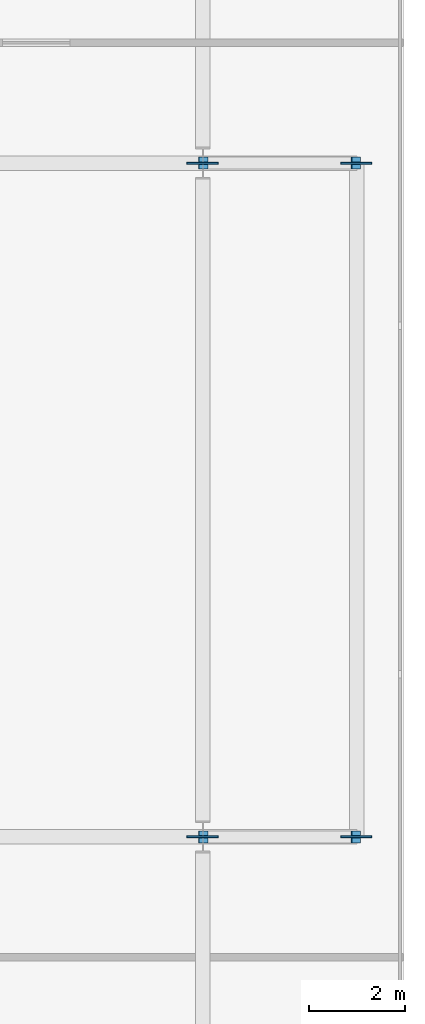
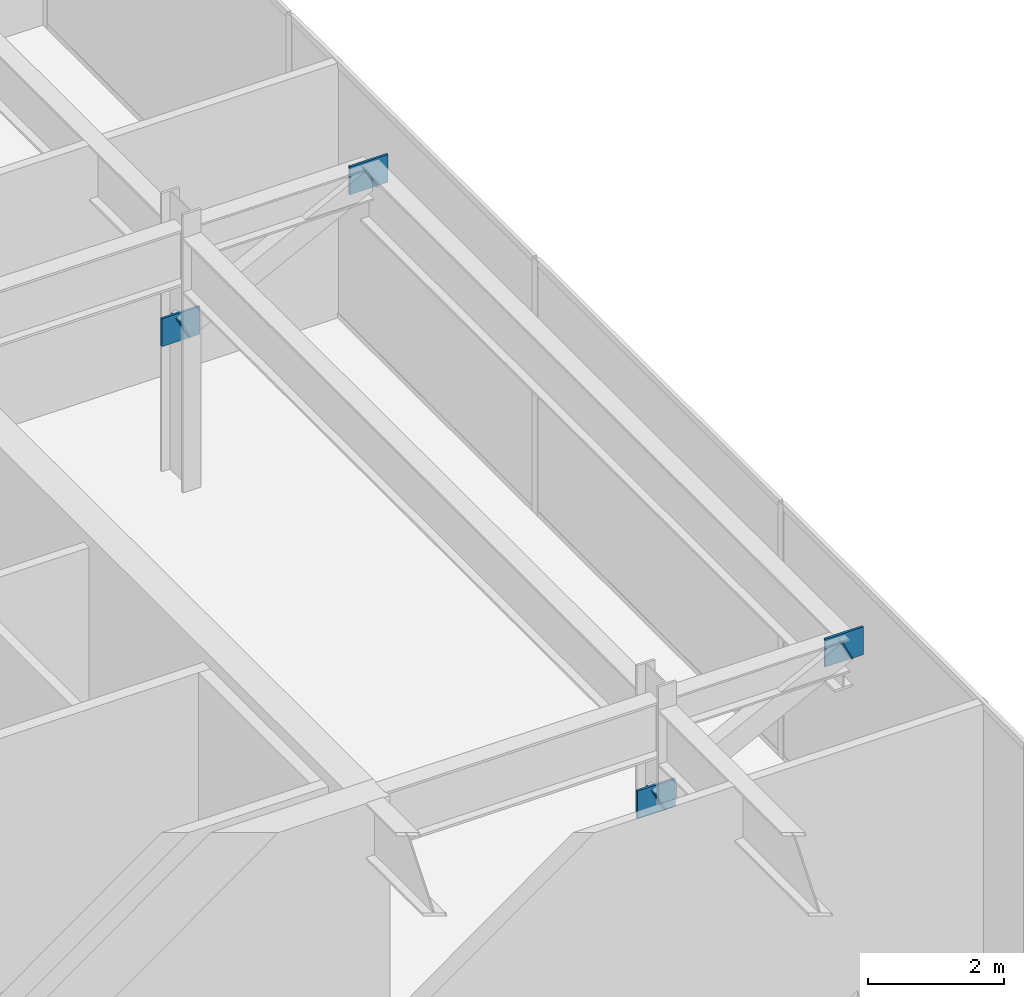
# One storey, part 17 of 21: 8 plates.
"""IFC4 building model written with IfcOpenShell, lengths in metres."""

import ifcopenshell
import ifcopenshell.guid

model = None  # the IFC model being written
_history = None  # IfcOwnerHistory: only IFC2X3 demands one
_inside = {}  # id of a spatial element -> (the spatial element, [elements in it])
_under = {}  # id of a project, library or spatial element -> (it, [spatial elements below it])
_declared = {}  # id of a project -> (the project, [libraries it declares])
_typed = {}  # id of a type object -> (the type object, [elements of that type])
_made_of = {}  # id of a material, layer set ... -> (it, [elements and type objects made of it])


def new_model(schema):
    """Start an empty IFC model of exactly this schema.

    Asked for "IFC4X3", IfcOpenShell would pick the latest addendum, in which some entities
    have other attributes; the version numbers below select the first issue.
    IFC2X3 requires an IfcOwnerHistory on every rooted entity: one is made here for all.
    """
    global model, _history
    if schema == "IFC4X3":
        model = ifcopenshell.file(schema_version=(4, 3, 0, 0))
    else:
        model = ifcopenshell.file(schema=schema)
    _inside.clear()
    _under.clear()
    _declared.clear()
    _typed.clear()
    _made_of.clear()
    _history = None
    if model.schema == "IFC2X3":
        org = make("IfcOrganization", Name="unknown")
        user = make(
            "IfcPersonAndOrganization",
            ThePerson=make("IfcPerson", FamilyName="unknown"),
            TheOrganization=org,
        )
        app = make(
            "IfcApplication",
            ApplicationDeveloper=org,
            Version="unknown",
            ApplicationFullName="unknown",
            ApplicationIdentifier="unknown",
        )
        _history = make(
            "IfcOwnerHistory",
            OwningUser=user,
            OwningApplication=app,
            ChangeAction="ADDED",
            CreationDate=0,
        )
    return model


def make(cls, **values):
    """One entity of the class cls with the attributes given. An attribute that is None is left unset."""
    return model.create_entity(
        cls, **{name: value for name, value in values.items() if value is not None}
    )


def rooted(cls, **values):
    """An entity with a GlobalId (a new one), such as an element, a storey or a relation."""
    return make(cls, GlobalId=ifcopenshell.guid.new(), OwnerHistory=_history, **values)


def si_unit(unit_type, name, prefix=None):
    """IfcSIUnit, for example si_unit("LENGTHUNIT", "METRE", prefix="MILLI")."""
    return make("IfcSIUnit", UnitType=unit_type, Prefix=prefix, Name=name)


def assignment(units):
    """IfcUnitAssignment: the units of a project."""
    return None if units is None else make("IfcUnitAssignment", Units=units)


def point(xyz):
    """IfcCartesianPoint."""
    return None if xyz is None else make("IfcCartesianPoint", Coordinates=xyz)


def direction(xyz):
    """IfcDirection."""
    return None if xyz is None else make("IfcDirection", DirectionRatios=xyz)


def frame(location, z_axis=None, x_axis=None):
    """IfcAxis2Placement3D, a coordinate frame: its origin and axes. An axis left out is left unset."""
    return make(
        "IfcAxis2Placement3D",
        Location=point(location),
        Axis=direction(z_axis),
        RefDirection=direction(x_axis),
    )


def frame_2d(location, x_axis=None):
    """IfcAxis2Placement2D, a coordinate frame in the plane: its origin and x axis."""
    return make(
        "IfcAxis2Placement2D", Location=point(location), RefDirection=direction(x_axis)
    )


def origin():
    """The frame at (0, 0, 0) with its axes left unset."""
    return frame((0.0, 0.0, 0.0))


def origin_2d():
    """The frame at (0, 0) in the plane with its x axis left unset."""
    return frame_2d((0.0, 0.0))


def place(relative_to, where):
    """IfcLocalPlacement: puts the frame where relative to a parent placement (None: the world)."""
    return make(
        "IfcLocalPlacement", PlacementRelTo=relative_to, RelativePlacement=where
    )


def context(
    kind, dimensions, precision=None, world=None, true_north=None, identifier=None
):
    """IfcGeometricRepresentationContext, for example the 3D "Model" context."""
    return make(
        "IfcGeometricRepresentationContext",
        ContextIdentifier=identifier,
        ContextType=kind,
        CoordinateSpaceDimension=dimensions,
        Precision=precision,
        WorldCoordinateSystem=world,
        TrueNorth=true_north,
    )


def subcontext(parent, identifier, kind, view, scale=None):
    """IfcGeometricRepresentationSubContext, for example "Body" below "Model"."""
    return make(
        "IfcGeometricRepresentationSubContext",
        ContextIdentifier=identifier,
        ContextType=kind,
        ParentContext=parent,
        TargetScale=scale,
        TargetView=view,
    )


def project(units=None, contexts=None):
    """IfcProject with its units and contexts."""
    return rooted(
        "IfcProject",
        Name="project",
        RepresentationContexts=contexts,
        UnitsInContext=assignment(units),
    )


def spatial(cls, under=None, at=None, **own):
    """A site, building, storey or space (cls), placed at a placement, below another one or the project."""
    s = rooted(cls, ObjectPlacement=at, **own)
    if under is not None:
        _under.setdefault(under.id(), (under, []))[1].append(s)
    return s


def profile(cls, at=None, kind="AREA", **sizes):
    """A parametric profile (cls). Its sizes go by their IFC names, for example OverallWidth=200.0."""
    return make(cls, ProfileType=kind, Position=at, **sizes)


def rectangle(**sizes):
    """IfcRectangleProfileDef."""
    return profile("IfcRectangleProfileDef", **sizes)


def extrude(swept, where, along, depth):
    """IfcExtrudedAreaSolid: the profile swept, set in the frame where, extruded along a direction by depth."""
    return make(
        "IfcExtrudedAreaSolid",
        SweptArea=swept,
        Position=where,
        ExtrudedDirection=direction(along),
        Depth=depth,
    )


def shape(context_of_items, identifier, shape_type, items):
    """IfcShapeRepresentation: the items that make up one representation, for example the "Body"."""
    return make(
        "IfcShapeRepresentation",
        ContextOfItems=context_of_items,
        RepresentationIdentifier=identifier,
        RepresentationType=shape_type,
        Items=items,
    )


def material(Name=None, Category=None):
    """IfcMaterial."""
    return make("IfcMaterial", Name=Name, Category=Category)


def layer(
    of_material, thickness, ventilated=None, Name=None, Category=None, Priority=None
):
    """IfcMaterialLayer: one layer of a wall or slab, of a material (None: an air gap)."""
    return make(
        "IfcMaterialLayer",
        Material=of_material,
        LayerThickness=thickness,
        IsVentilated=ventilated,
        Name=Name,
        Category=Category,
        Priority=Priority,
    )


def layer_set(layers, Name=None):
    """IfcMaterialLayerSet."""
    return make("IfcMaterialLayerSet", MaterialLayers=layers, LayerSetName=Name)


def made_of(thing, what):
    """Note that an element or type object is made of a material, layer set ...; save() writes the relation."""
    if what is not None:
        _made_of.setdefault(what.id(), (what, []))[1].append(thing)
    return thing


def type_object(cls, material=None, **own):
    """A type object (cls), such as IfcWallType, which elements share."""
    return made_of(rooted(cls, **own), material)


def element(
    cls,
    number,
    at=None,
    inside=None,
    cuts=None,
    type_object=None,
    material=None,
    context=None,
    identifier="Body",
    shape_type=None,
    held_by="IfcProductDefinitionShape",
    body=None,
    shapes=None,
    **own,
):
    """One element of the class cls, such as IfcWall. Its Tag is "e" and its number.

    at: its placement. inside: the storey or other place that contains it. cuts: it is an
    opening in that element (IfcRelVoidsElement). A single representation is given by context,
    identifier, shape_type and body (its items); several are given by shapes. held_by: the class
    of the entity that holds the representations. save() writes the other relations.
    """
    e = rooted(cls, Tag="e%d" % number, ObjectPlacement=at, **own)
    if body is not None:
        shapes = [shape(context, identifier, shape_type, body)]
    if shapes is not None:
        e.Representation = make(held_by, Representations=shapes)
    if inside is not None:
        _inside.setdefault(inside.id(), (inside, []))[1].append(e)
    if cuts is not None:
        rooted(
            "IfcRelVoidsElement", RelatingBuildingElement=cuts, RelatedOpeningElement=e
        )
    if type_object is not None:
        _typed.setdefault(type_object.id(), (type_object, []))[1].append(e)
    return made_of(e, material)


def aggregate(whole, parts):
    """IfcRelAggregates: a whole, such as a stair, and the parts it consists of."""
    return rooted("IfcRelAggregates", RelatingObject=whole, RelatedObjects=parts)


def save(model, path):
    """Write the relations noted so far, then the file.

    IfcRelAggregates (storeys below a building ...), IfcRelContainedInSpatialStructure (elements
    in a storey), IfcRelDefinesByType, IfcRelAssociatesMaterial and IfcRelDeclares: one each for
    every whole, place, type object, material and project.
    """
    for whole, parts in _under.values():
        aggregate(whole, parts)
    for where, things in _inside.values():
        rooted(
            "IfcRelContainedInSpatialStructure",
            RelatedElements=things,
            RelatingStructure=where,
        )
    for kind, things in _typed.values():
        rooted("IfcRelDefinesByType", RelatedObjects=things, RelatingType=kind)
    for what, things in _made_of.values():
        rooted("IfcRelAssociatesMaterial", RelatedObjects=things, RelatingMaterial=what)
    for by, libraries in _declared.values():
        rooted("IfcRelDeclares", RelatingContext=by, RelatedDefinitions=libraries)
    model.write(path)


model = new_model("IFC4")

# Units and contexts
model_context = context("Model", 3, precision=1e-05, world=origin(), true_north=direction((0.0, 1.0)))
body_context = subcontext(model_context, "Body", "Model", "MODEL_VIEW")
ifc_project = project(units=[si_unit("LENGTHUNIT", "METRE"), si_unit("AREAUNIT", "SQUARE_METRE"), si_unit("VOLUMEUNIT", "CUBIC_METRE"), si_unit("PLANEANGLEUNIT", "RADIAN"), si_unit("MASSUNIT", "GRAM", prefix="KILO")], contexts=[model_context])

# Site, building, storey
site_placement = place(None, origin())
site = spatial("IfcSite", under=ifc_project, at=site_placement, CompositionType="ELEMENT")
building_placement = place(site_placement, origin())
building = spatial("IfcBuilding", under=site, at=building_placement, Name="Putna Gate Headquarters", CompositionType="ELEMENT")
storey_placement = place(building_placement, frame((0.0, 0.0, 315.39990234375)))
storey = spatial("IfcBuildingStorey", under=building, at=storey_placement, Name="L79", CompositionType="ELEMENT", Elevation=315.39990234375)

# Plates
ifc_material_1 = material(Name="Steel S355J2", Category="steel")
ifc_layer_1 = layer(ifc_material_1, 0.02001953125)
ifc_layer_set_1 = layer_set([ifc_layer_1], Name="Steel S355J2")
plate_type_1 = type_object("IfcPlateType", Name="PLT-CAP-EC-R400", PredefinedType="SHEET", material=ifc_layer_set_1)
plate_1_placement = place(storey_placement, frame((69.9150390625, 19.0, 2.75), z_axis=(0.891970083601, 0.0, 0.452094425935), x_axis=(0.0, 1.0, 0.0)))
element("IfcPlate", 1, at=plate_1_placement, inside=storey, type_object=plate_type_1, Name="L79 East Sail Cantilever Raker Y19 End Cap Start", PredefinedType="SHEET", context=body_context, shape_type="SweptSolid", body=[
    extrude(rectangle(XDim=0.25, YDim=0.39990234375, at=origin_2d()), origin(), (0.0, 0.0, 1.0), 0.02001953125),
])
plate_2_placement = place(storey_placement, frame((73.092041015625, 19.0, 4.35107421875), z_axis=(0.894427191, 0.0, 0.4472135955), x_axis=(0.0, 1.0, 0.0)))
element("IfcPlate", 2, at=plate_2_placement, inside=storey, type_object=plate_type_1, Name="L79 East Sail Cantilever Raker Y19 End Cap End", PredefinedType="SHEET", context=body_context, shape_type="SweptSolid", body=[
    extrude(rectangle(XDim=0.25, YDim=0.39990234375, at=origin_2d()), origin(), (0.0, 0.0, 1.0), 0.020263671875),
])
plate_3_placement = place(storey_placement, frame((69.9150390625, 33.0, 2.75), z_axis=(0.891970083601, 0.0, 0.452094425935), x_axis=(0.0, 1.0, 0.0)))
element("IfcPlate", 3, at=plate_3_placement, inside=storey, type_object=plate_type_1, Name="L79 East Sail Cantilever Raker Y33 End Cap Start", PredefinedType="SHEET", context=body_context, shape_type="SweptSolid", body=[
    extrude(rectangle(XDim=0.25, YDim=0.39990234375, at=origin_2d()), origin(), (0.0, 0.0, 1.0), 0.02001953125),
])
plate_4_placement = place(storey_placement, frame((73.092041015625, 33.0, 4.35107421875), z_axis=(0.894427191, 0.0, 0.4472135955), x_axis=(0.0, 1.0, 0.0)))
element("IfcPlate", 4, at=plate_4_placement, inside=storey, type_object=plate_type_1, Name="L79 East Sail Cantilever Raker Y33 End Cap End", PredefinedType="SHEET", context=body_context, shape_type="SweptSolid", body=[
    extrude(rectangle(XDim=0.25, YDim=0.39990234375, at=origin_2d()), origin(), (0.0, 0.0, 1.0), 0.020263671875),
])
ifc_material_2 = material(Name="Steel S460M", Category="steel")
ifc_layer_2 = layer(ifc_material_2, 0.0380859375)
ifc_layer_set_2 = layer_set([ifc_layer_2], Name="Steel S460M")
plate_type_2 = type_object("IfcPlateType", Name="PLT-NODE-TN1", PredefinedType="SHEET", material=ifc_layer_set_2)
for number, where, z_axis, x_axis, name in (
    (5, (69.9150390625, 19.0, 2.5), (0.0, 0.0, 1.0), (1.0, 0.0, 0.0), "L79 Sail Raker Node Plate TN1 Y19-1"),
    (6, (73.110107421875, 19.0, 4.110107421875), (0.0, 0.0, 1.0), (1.0, 0.0, 0.0), "L79 Sail Raker Node Plate TN1 Y19-2"),
    (7, (69.9150390625, 33.0, 2.5), (0.0, 0.0, 1.0), (1.0, 0.0, 0.0), "L79 Sail Raker Node Plate TN1 Y33-1"),
    (8, (73.110107421875, 33.0, 4.110107421875), (0.0, 0.0, 1.0), (1.0, 0.0, 0.0), "L79 Sail Raker Node Plate TN1 Y33-2"),
):
    element("IfcPlate", number, at=place(storey_placement, frame(where, z_axis=z_axis, x_axis=x_axis)), inside=storey, type_object=plate_type_2, Name=name, PredefinedType="SHEET", context=body_context, shape_type="SweptSolid", body=[
        extrude(rectangle(XDim=0.64990234375, YDim=0.0380859375, at=origin_2d()), origin(), (0.0, 0.0, 1.0), 0.5),
    ])

save(model, "model.ifc")
